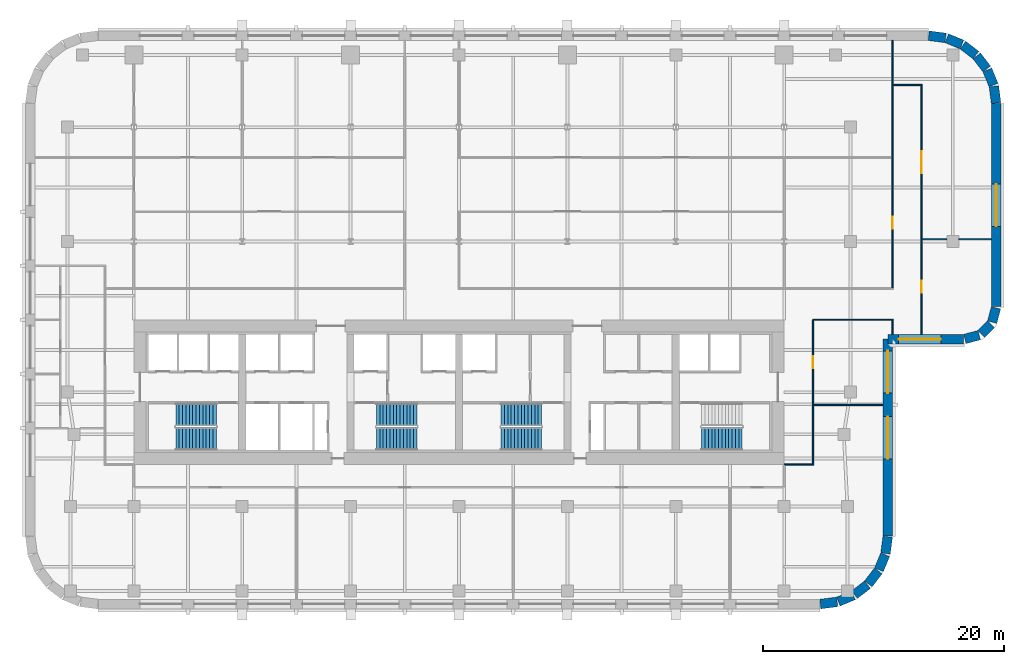
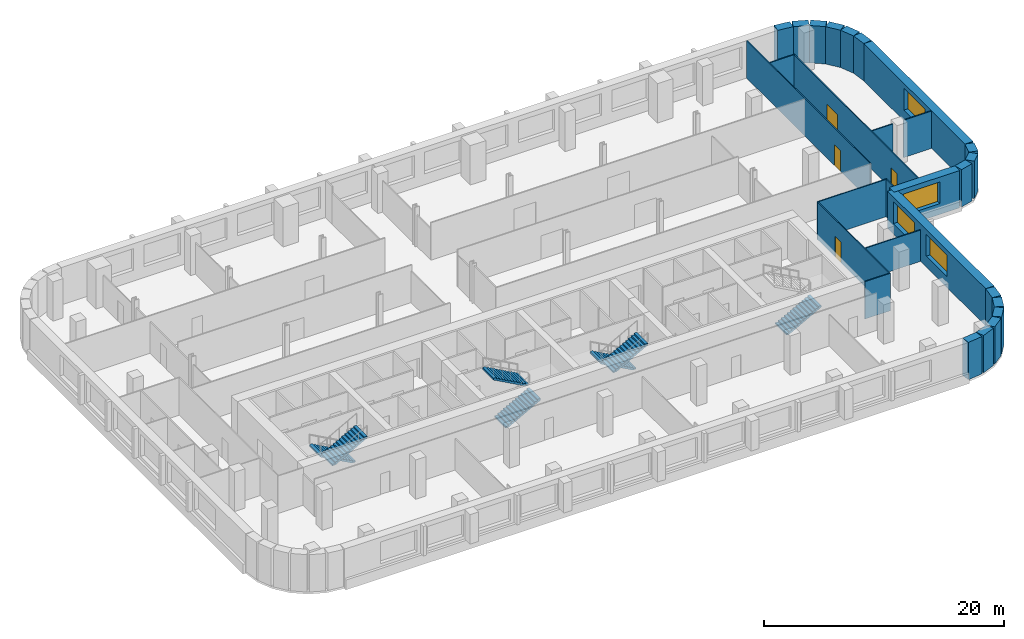
# One storey, part 7 of 10: 28 walls, 7 stair flights, 4 doors, 4 windows, 8 openings, 4 elements without a shape of their own.
"""IFC4 building model written with IfcOpenShell, lengths in metres."""

from ifc_helpers import new_model, si_unit, direction, frame, frame_2d, origin, place, context, subcontext, project, spatial, polyline, rectangle, outline, extrude, material, layer, layer_set, type_object, element, fill, aggregate, save


model = new_model("IFC4")

# Units and contexts
model_context = context("Model", 3, precision=1e-05, world=origin(), true_north=direction((0.0, 1.0)))
body_context = subcontext(model_context, "Body", "Model", "MODEL_VIEW")
ifc_project = project(units=[si_unit("LENGTHUNIT", "METRE"), si_unit("AREAUNIT", "SQUARE_METRE"), si_unit("VOLUMEUNIT", "CUBIC_METRE"), si_unit("PLANEANGLEUNIT", "RADIAN"), si_unit("MASSUNIT", "GRAM", prefix="KILO")], contexts=[model_context])

# Site, building, storey
site_placement = place(None, origin())
site = spatial("IfcSite", under=ifc_project, at=site_placement, CompositionType="ELEMENT")
building_placement = place(site_placement, origin())
building = spatial("IfcBuilding", under=site, at=building_placement, Name="Zellij Exchange Tower", CompositionType="ELEMENT")
storey_placement = place(building_placement, frame((0.0, 0.0, 124.5)))
storey = spatial("IfcBuildingStorey", under=building, at=storey_placement, Name="L27", CompositionType="ELEMENT", Elevation=124.5)

# Walls
ifc_material_1 = material(Name="Precast concrete C40/50", Category="concrete")
ifc_layer_1 = layer(ifc_material_1, 0.800048828125)
ifc_layer_set_1 = layer_set([ifc_layer_1], Name="Precast concrete C40/50")
wall_type_1 = type_object("IfcWallType", Name="ENV-EW1 Precast stone-piered wall 800", PredefinedType="SOLIDWALL", material=ifc_layer_set_1)
wall_1_placement = place(storey_placement, frame((29.999755859375, -25.5966796875, 0.0), z_axis=(0.0, 0.0, 1.0), x_axis=(0.99144603414, 0.130517283865, 0.0)))
element("IfcWall", 1, at=wall_1_placement, inside=storey, type_object=wall_type_1, Name="fac.L27.01", PredefinedType="SOLIDWALL", context=body_context, shape_type="SweptSolid", body=[
    extrude(rectangle(XDim=1.408447265625, YDim=0.800048828125, at=frame_2d((0.7041015625, 0.0))), origin(), (0.0, 0.0, 1.0), 3.800048828125),
])
wall_2_placement = place(storey_placement, frame((31.497314453125, -25.3857421875, 0.0), z_axis=(0.0, 0.0, 1.0), x_axis=(0.923847774587, 0.38276009378, 0.0)))
element("IfcWall", 2, at=wall_2_placement, inside=storey, type_object=wall_type_1, Name="fac.L27.02", PredefinedType="SOLIDWALL", context=body_context, shape_type="SweptSolid", body=[
    extrude(rectangle(XDim=1.35546875, YDim=0.800048828125, at=frame_2d((0.677734375, 0.0))), origin(), (0.0, 0.0, 1.0), 3.800048828125),
])
for number, where, z_axis, x_axis, name in (
    (3, (32.840087890625, -24.814697265625, 0.0), (0.0, 0.0, 1.0), (0.793272915452, 0.608866226366, 0.0), "fac.L27.03"),
    (4, (33.9892578125, -23.91552734375, 0.0), (0.0, 0.0, 1.0), (0.608866226366, 0.793272915452, 0.0), "fac.L27.04"),
):
    element("IfcWall", number, at=place(storey_placement, frame(where, z_axis=z_axis, x_axis=x_axis)), inside=storey, type_object=wall_type_1, Name=name, PredefinedType="SOLIDWALL", context=body_context, shape_type="SweptSolid", body=[
        extrude(rectangle(XDim=1.355712890625, YDim=0.800048828125, at=frame_2d((0.677734375, 0.0))), origin(), (0.0, 0.0, 1.0), 3.800048828125),
    ])
wall_3_placement = place(storey_placement, frame((34.866943359375, -22.74951171875, 0.0), z_axis=(0.0, 0.0, 1.0), x_axis=(0.38276009378, 0.923847774587, 0.0)))
element("IfcWall", 5, at=wall_3_placement, inside=storey, type_object=wall_type_1, Name="fac.L27.05", PredefinedType="SOLIDWALL", context=body_context, shape_type="SweptSolid", body=[
    extrude(rectangle(XDim=1.35546875, YDim=0.800048828125, at=frame_2d((0.677734375, 0.0))), origin(), (0.0, 0.0, 1.0), 3.800048828125),
])
wall_4_placement = place(storey_placement, frame((35.412841796875, -21.396240234375, 0.0), z_axis=(0.0, 0.0, 1.0), x_axis=(0.130517283865, 0.99144603414, 0.0)))
element("IfcWall", 6, at=wall_4_placement, inside=storey, type_object=wall_type_1, Name="fac.L27.06", PredefinedType="SOLIDWALL", context=body_context, shape_type="SweptSolid", body=[
    extrude(rectangle(XDim=1.408447265625, YDim=0.800048828125, at=frame_2d((0.7041015625, 0.0))), origin(), (0.0, 0.0, 1.0), 3.800048828125),
])

# Wall, openings, windows
wall_5_placement = place(storey_placement, frame((35.60009765625, -19.947509765625, 0.0), z_axis=(0.0, 0.0, 1.0), x_axis=(0.0, 1.0, 0.0)))
wall_5 = element("IfcWall", 7, at=wall_5_placement, inside=storey, type_object=wall_type_1, Name="fac.L27.07", PredefinedType="SOLIDWALL", context=body_context, shape_type="SweptSolid", body=[
    extrude(rectangle(XDim=16.347412109375, YDim=0.800048828125, at=frame_2d((8.173828125, 0.0))), origin(), (0.0, 0.0, 1.0), 3.800048828125),
])
opening_1_placement = place(wall_5_placement, frame((6.41064453125, 0.0, 1.10009765625)))
opening_1 = element("IfcOpeningElement", 8, at=opening_1_placement, cuts=wall_5, Name="Opening FZ2.13", PredefinedType="OPENING", context=body_context, shape_type="SweptSolid", body=[
    extrude(rectangle(XDim=3.5, YDim=2.199951171875, at=frame_2d((1.75, 1.10009765625))), frame((0.0, 0.412109375, 0.0), z_axis=(0.0, -1.0, 0.0), x_axis=(1.0, 0.0, 0.0)), (0.0, 0.0, 1.0), 0.823974609375),
])
opening_2_placement = place(wall_5_placement, frame((11.86865234375, 0.0, 1.10009765625)))
opening_2 = element("IfcOpeningElement", 9, at=opening_2_placement, cuts=wall_5, Name="Opening FZ2.14", PredefinedType="OPENING", context=body_context, shape_type="SweptSolid", body=[
    extrude(rectangle(XDim=3.5, YDim=2.199951171875, at=frame_2d((1.75, 1.10009765625))), frame((0.0, 0.412109375, 0.0), z_axis=(0.0, -1.0, 0.0), x_axis=(1.0, 0.0, 0.0)), (0.0, 0.0, 1.0), 0.823974609375),
])
ifc_material_2 = material(Name="Aluminium frame with insulating glass", Category="aluminium")
window_type = type_object("IfcWindowType", Name="ENV-W7 Window 3500x2200", PartitioningType="SINGLE_PANEL", PredefinedType="WINDOW", material=ifc_material_2)
window_1_placement = place(opening_1_placement, origin())
window_1 = element("IfcWindow", 10, at=window_1_placement, inside=storey, type_object=window_type, Name="Window FZ2.13", OverallHeight=2.199951171875, OverallWidth=3.5, PartitioningType="SINGLE_PANEL", PredefinedType="WINDOW", context=body_context, shape_type="SweptSolid", body=[
    extrude(rectangle(XDim=3.5, YDim=2.199951171875, at=frame_2d((1.75, 1.10009765625))), frame((0.0, 0.030029296875, 0.0), z_axis=(0.0, -1.0, 0.0), x_axis=(1.0, 0.0, 0.0)), (0.0, 0.0, 1.0), 0.06005859375),
])
fill(opening_1, window_1)
window_2_placement = place(opening_2_placement, origin())
window_2 = element("IfcWindow", 11, at=window_2_placement, inside=storey, type_object=window_type, Name="Window FZ2.14", OverallHeight=2.199951171875, OverallWidth=3.5, PartitioningType="SINGLE_PANEL", PredefinedType="WINDOW", context=body_context, shape_type="SweptSolid", body=[
    extrude(rectangle(XDim=3.5, YDim=2.199951171875, at=frame_2d((1.75, 1.10009765625))), frame((0.0, 0.030029296875, 0.0), z_axis=(0.0, -1.0, 0.0), x_axis=(1.0, 0.0, 0.0)), (0.0, 0.0, 1.0), 0.06005859375),
])
fill(opening_2, window_2)

# Wall, opening, window
wall_6_placement = place(storey_placement, frame((35.60009765625, -3.60009765625, 0.0), z_axis=(0.0, 0.0, 1.0), x_axis=(1.0, 0.0, 0.0)))
wall_6 = element("IfcWall", 12, at=wall_6_placement, inside=storey, type_object=wall_type_1, Name="fac.L27.08", PredefinedType="SOLIDWALL", context=body_context, shape_type="SweptSolid", body=[
    extrude(rectangle(XDim=6.29443359375, YDim=0.800048828125, at=frame_2d((3.147216796875, 0.0))), origin(), (0.0, 0.0, 1.0), 3.800048828125),
])
opening_3_placement = place(wall_6_placement, frame((0.89990234375, 0.0, 1.10009765625)))
opening_3 = element("IfcOpeningElement", 13, at=opening_3_placement, cuts=wall_6, Name="Opening FZ2.15", PredefinedType="OPENING", context=body_context, shape_type="SweptSolid", body=[
    extrude(rectangle(XDim=3.5, YDim=2.199951171875, at=frame_2d((1.75, 1.10009765625))), frame((0.0, 0.412109375, 0.0), z_axis=(0.0, -1.0, 0.0), x_axis=(1.0, 0.0, 0.0)), (0.0, 0.0, 1.0), 0.823974609375),
])
window_3_placement = place(opening_3_placement, origin())
window_3 = element("IfcWindow", 14, at=window_3_placement, inside=storey, type_object=window_type, Name="Window FZ2.15", OverallHeight=2.199951171875, OverallWidth=3.5, PartitioningType="SINGLE_PANEL", PredefinedType="WINDOW", context=body_context, shape_type="SweptSolid", body=[
    extrude(rectangle(XDim=3.5, YDim=2.199951171875, at=frame_2d((1.75, 1.10009765625))), frame((0.0, 0.030029296875, 0.0), z_axis=(0.0, -1.0, 0.0), x_axis=(1.0, 0.0, 0.0)), (0.0, 0.0, 1.0), 0.06005859375),
])
fill(opening_3, window_3)

# Walls
wall_7_placement = place(storey_placement, frame((41.998291015625, -3.58642578125, 0.0), z_axis=(0.0, 0.0, 1.0), x_axis=(0.965892366842, 0.258943885187, 0.0)))
element("IfcWall", 15, at=wall_7_placement, inside=storey, type_object=wall_type_1, Name="fac.L27.09", PredefinedType="SOLIDWALL", context=body_context, shape_type="SweptSolid", body=[
    extrude(rectangle(XDim=1.233154296875, YDim=0.800048828125, at=frame_2d((0.61669921875, 0.0))), origin(), (0.0, 0.0, 1.0), 3.800048828125),
])
wall_8_placement = place(storey_placement, frame((43.36865234375, -3.163818359375, 0.0), z_axis=(0.0, 0.0, 1.0), x_axis=(0.707106781187, 0.707106781187, 0.0)))
element("IfcWall", 16, at=wall_8_placement, inside=storey, type_object=wall_type_1, Name="fac.L27.10", PredefinedType="SOLIDWALL", context=body_context, shape_type="SweptSolid", body=[
    extrude(rectangle(XDim=1.12451171875, YDim=0.800048828125, at=frame_2d((0.562255859375, 0.0))), origin(), (0.0, 0.0, 1.0), 3.800048828125),
])
wall_9_placement = place(storey_placement, frame((44.26708984375, -2.189453125, 0.0), z_axis=(0.0, 0.0, 1.0), x_axis=(0.258943885187, 0.965892366842, 0.0)))
element("IfcWall", 17, at=wall_9_placement, inside=storey, type_object=wall_type_1, Name="fac.L27.11", PredefinedType="SOLIDWALL", context=body_context, shape_type="SweptSolid", body=[
    extrude(rectangle(XDim=1.233154296875, YDim=0.800048828125, at=frame_2d((0.61669921875, 0.0))), origin(), (0.0, 0.0, 1.0), 3.800048828125),
])

# Wall, opening, window
wall_10_placement = place(storey_placement, frame((44.60009765625, -0.89453125, 0.0), z_axis=(0.0, 0.0, 1.0), x_axis=(0.0, 1.0, 0.0)))
wall_10 = element("IfcWall", 18, at=wall_10_placement, inside=storey, type_object=wall_type_1, Name="fac.L27.12", PredefinedType="SOLIDWALL", context=body_context, shape_type="SweptSolid", body=[
    extrude(rectangle(XDim=16.842041015625, YDim=0.800048828125, at=frame_2d((8.4208984375, 0.0))), origin(), (0.0, 0.0, 1.0), 3.800048828125),
])
opening_4_placement = place(wall_10_placement, frame((6.657958984375, 0.0, 1.10009765625)))
opening_4 = element("IfcOpeningElement", 19, at=opening_4_placement, cuts=wall_10, Name="Opening FZ2.16", PredefinedType="OPENING", context=body_context, shape_type="SweptSolid", body=[
    extrude(rectangle(XDim=3.5, YDim=2.199951171875, at=frame_2d((1.75, 1.10009765625))), frame((0.0, 0.412109375, 0.0), z_axis=(0.0, -1.0, 0.0), x_axis=(1.0, 0.0, 0.0)), (0.0, 0.0, 1.0), 0.823974609375),
])
window_4_placement = place(opening_4_placement, origin())
window_4 = element("IfcWindow", 20, at=window_4_placement, inside=storey, type_object=window_type, Name="Window FZ2.16", OverallHeight=2.199951171875, OverallWidth=3.5, PartitioningType="SINGLE_PANEL", PredefinedType="WINDOW", context=body_context, shape_type="SweptSolid", body=[
    extrude(rectangle(XDim=3.5, YDim=2.199951171875, at=frame_2d((1.75, 1.10009765625))), frame((0.0, 0.030029296875, 0.0), z_axis=(0.0, -1.0, 0.0), x_axis=(1.0, 0.0, 0.0)), (0.0, 0.0, 1.0), 0.06005859375),
])
fill(opening_4, window_4)

# Walls
wall_11_placement = place(storey_placement, frame((44.5966796875, 15.999755859375, 0.0), z_axis=(0.0, 0.0, 1.0), x_axis=(-0.130517283865, 0.99144603414, 0.0)))
element("IfcWall", 21, at=wall_11_placement, inside=storey, type_object=wall_type_1, Name="fac.L27.13", PredefinedType="SOLIDWALL", context=body_context, shape_type="SweptSolid", body=[
    extrude(rectangle(XDim=1.408447265625, YDim=0.800048828125, at=frame_2d((0.7041015625, 0.0))), origin(), (0.0, 0.0, 1.0), 3.800048828125),
])
wall_12_placement = place(storey_placement, frame((44.3857421875, 17.497314453125, 0.0), z_axis=(0.0, 0.0, 1.0), x_axis=(-0.38276009378, 0.923847774587, 0.0)))
element("IfcWall", 22, at=wall_12_placement, inside=storey, type_object=wall_type_1, Name="fac.L27.14", PredefinedType="SOLIDWALL", context=body_context, shape_type="SweptSolid", body=[
    extrude(rectangle(XDim=1.35546875, YDim=0.800048828125, at=frame_2d((0.677734375, 0.0))), origin(), (0.0, 0.0, 1.0), 3.800048828125),
])
for number, where, z_axis, x_axis, name in (
    (23, (43.814697265625, 18.840087890625, 0.0), (0.0, 0.0, 1.0), (-0.608866226366, 0.793272915452, 0.0), "fac.L27.15"),
    (24, (42.91552734375, 19.9892578125, 0.0), (0.0, 0.0, 1.0), (-0.793272915452, 0.608866226366, 0.0), "fac.L27.16"),
):
    element("IfcWall", number, at=place(storey_placement, frame(where, z_axis=z_axis, x_axis=x_axis)), inside=storey, type_object=wall_type_1, Name=name, PredefinedType="SOLIDWALL", context=body_context, shape_type="SweptSolid", body=[
        extrude(rectangle(XDim=1.355712890625, YDim=0.800048828125, at=frame_2d((0.677734375, 0.0))), origin(), (0.0, 0.0, 1.0), 3.800048828125),
    ])
wall_13_placement = place(storey_placement, frame((41.74951171875, 20.866943359375, 0.0), z_axis=(0.0, 0.0, 1.0), x_axis=(-0.923847774587, 0.38276009378, 0.0)))
element("IfcWall", 25, at=wall_13_placement, inside=storey, type_object=wall_type_1, Name="fac.L27.17", PredefinedType="SOLIDWALL", context=body_context, shape_type="SweptSolid", body=[
    extrude(rectangle(XDim=1.35546875, YDim=0.800048828125, at=frame_2d((0.677734375, 0.0))), origin(), (0.0, 0.0, 1.0), 3.800048828125),
])
wall_14_placement = place(storey_placement, frame((40.396240234375, 21.412841796875, 0.0), z_axis=(0.0, 0.0, 1.0), x_axis=(-0.99144603414, 0.130517283865, 0.0)))
element("IfcWall", 26, at=wall_14_placement, inside=storey, type_object=wall_type_1, Name="fac.L27.18", PredefinedType="SOLIDWALL", context=body_context, shape_type="SweptSolid", body=[
    extrude(rectangle(XDim=1.408447265625, YDim=0.800048828125, at=frame_2d((0.7041015625, 0.0))), origin(), (0.0, 0.0, 1.0), 3.800048828125),
])
ifc_material_3 = material(Name="Gypsum board partition on steel studs", Category="steel")
ifc_layer_2 = layer(ifc_material_3, 0.10009765625)
ifc_layer_set_2 = layer_set([ifc_layer_2], Name="Gypsum board partition on steel studs")
wall_type_2 = type_object("IfcWallType", Name="FIT-PARTITION-100", PredefinedType="PARTITIONING", material=ifc_layer_set_2)
wall_15_placement = place(storey_placement, frame((27.0, -14.0, 0.0), z_axis=(0.0, 0.0, 1.0), x_axis=(1.0, 0.0, 0.0)))
element("IfcWall", 27, at=wall_15_placement, inside=storey, type_object=wall_type_2, Name="FIT-PARTITION-100 012", PredefinedType="PARTITIONING", context=body_context, shape_type="SweptSolid", body=[
    extrude(rectangle(XDim=2.449951171875, YDim=0.10009765625, at=frame_2d((1.22509765625, 0.0))), origin(), (0.0, 0.0, 1.0), 3.800048828125),
])

# Wall, opening, door
wall_16_placement = place(storey_placement, frame((29.39990234375, -13.949951171875, 0.0), z_axis=(0.0, 0.0, 1.0), x_axis=(0.0, 1.0, 0.0)))
wall_16 = element("IfcWall", 28, at=wall_16_placement, inside=storey, type_object=wall_type_2, Name="FIT-PARTITION-100 013", PredefinedType="PARTITIONING", context=body_context, shape_type="SweptSolid", body=[
    extrude(rectangle(XDim=11.89990234375, YDim=0.10009765625, at=frame_2d((5.949951171875, 0.0))), origin(), (0.0, 0.0, 1.0), 3.800048828125),
])
opening_5_placement = place(wall_16_placement, frame((7.93994140625, 0.0, 0.0)))
opening_5 = element("IfcOpeningElement", 29, at=opening_5_placement, cuts=wall_16, Name="Opening TF.06", PredefinedType="OPENING", context=body_context, shape_type="SweptSolid", body=[
    extrude(rectangle(XDim=1.0, YDim=2.10009765625, at=frame_2d((0.5, 1.050048828125))), frame((0.0, 0.06201171875, 0.0), z_axis=(0.0, -1.0, 0.0), x_axis=(1.0, 0.0, 0.0)), (0.0, 0.0, 1.0), 0.1240234375),
])
ifc_material_4 = material(Name="Timber door set", Category="wood")
door_type_1 = type_object("IfcDoorType", Name="FIT-D2-WIDE-1000X2100", OperationType="SINGLE_SWING_LEFT", PredefinedType="DOOR", material=ifc_material_4)
door_1_placement = place(opening_5_placement, origin())
door_1 = element("IfcDoor", 30, at=door_1_placement, inside=storey, type_object=door_type_1, Name="Door TF.06", OperationType="SINGLE_SWING_RIGHT", OverallHeight=2.10009765625, OverallWidth=1.0, PredefinedType="DOOR", context=body_context, shape_type="SweptSolid", body=[
    extrude(rectangle(XDim=1.0, YDim=2.10009765625, at=frame_2d((0.5, 1.050048828125))), frame((0.0, 0.02490234375, 0.0), z_axis=(0.0, -1.0, 0.0), x_axis=(1.0, 0.0, 0.0)), (0.0, 0.0, 1.0), 0.050048828125),
])
fill(opening_5, door_1)

# Walls
wall_17_placement = place(storey_placement, frame((29.449951171875, -9.06005859375, 0.0), z_axis=(0.0, 0.0, 1.0), x_axis=(1.0, 0.0, 0.0)))
element("IfcWall", 31, at=wall_17_placement, inside=storey, type_object=wall_type_2, Name="FIT-PARTITION-100 017", PredefinedType="PARTITIONING", context=body_context, shape_type="SweptSolid", body=[
    extrude(rectangle(XDim=5.75, YDim=0.10009765625, at=frame_2d((2.875, 0.0))), origin(), (0.0, 0.0, 1.0), 3.197998046875),
])
wall_18_placement = place(storey_placement, frame((36.0, -3.199951171875, 0.0), z_axis=(0.0, 0.0, 1.0), x_axis=(0.0, 1.0, 0.0)))
element("IfcWall", 32, at=wall_18_placement, inside=storey, type_object=wall_type_2, Name="FIT-PARTITION-100 019", PredefinedType="PARTITIONING", context=body_context, shape_type="SweptSolid", body=[
    extrude(rectangle(XDim=1.14990234375, YDim=0.10009765625, at=frame_2d((0.574951171875, 0.0))), origin(), (0.0, 0.0, 1.0), 3.800048828125),
])

# Wall, openings, doors
wall_19_placement = place(storey_placement, frame((38.39990234375, -3.199951171875, 0.0), z_axis=(0.0, 0.0, 1.0), x_axis=(0.0, 1.0, 0.0)))
wall_19 = element("IfcWall", 33, at=wall_19_placement, inside=storey, type_object=wall_type_2, Name="FIT-PARTITION-100 020", PredefinedType="PARTITIONING", context=body_context, shape_type="SweptSolid", body=[
    extrude(rectangle(XDim=20.64990234375, YDim=0.10009765625, at=frame_2d((10.324951171875, 0.0))), origin(), (0.0, 0.0, 1.0), 3.800048828125),
])
opening_6_placement = place(wall_19_placement, frame((3.449951171875, 0.0, 0.0)))
opening_6 = element("IfcOpeningElement", 34, at=opening_6_placement, cuts=wall_19, Name="Opening TF.10", PredefinedType="OPENING", context=body_context, shape_type="SweptSolid", body=[
    extrude(rectangle(XDim=1.0, YDim=2.10009765625, at=frame_2d((0.5, 1.050048828125))), frame((0.0, 0.06201171875, 0.0), z_axis=(0.0, -1.0, 0.0), x_axis=(1.0, 0.0, 0.0)), (0.0, 0.0, 1.0), 0.1240234375),
])
opening_7_placement = place(wall_19_placement, frame((13.389892578125, 0.0, 0.0)))
opening_7 = element("IfcOpeningElement", 35, at=opening_7_placement, cuts=wall_19, Name="Opening TF.16", PredefinedType="OPENING", context=body_context, shape_type="SweptSolid", body=[
    extrude(rectangle(XDim=1.800048828125, YDim=2.10009765625, at=frame_2d((0.89990234375, 1.050048828125))), frame((0.0, 0.06201171875, 0.0), z_axis=(0.0, -1.0, 0.0), x_axis=(1.0, 0.0, 0.0)), (0.0, 0.0, 1.0), 0.1240234375),
])
door_2_placement = place(opening_6_placement, origin())
door_2 = element("IfcDoor", 36, at=door_2_placement, inside=storey, type_object=door_type_1, Name="Door TF.10", OperationType="SINGLE_SWING_RIGHT", OverallHeight=2.10009765625, OverallWidth=1.0, PredefinedType="DOOR", context=body_context, shape_type="SweptSolid", body=[
    extrude(rectangle(XDim=1.0, YDim=2.10009765625, at=frame_2d((0.5, 1.050048828125))), frame((0.0, 0.02490234375, 0.0), z_axis=(0.0, -1.0, 0.0), x_axis=(1.0, 0.0, 0.0)), (0.0, 0.0, 1.0), 0.050048828125),
])
fill(opening_6, door_2)
door_type_2 = type_object("IfcDoorType", Name="FIT-D3-DOUBLE-1800X2100", OperationType="DOUBLE_DOOR_SINGLE_SWING", PredefinedType="DOOR", material=ifc_material_4)
door_3_placement = place(opening_7_placement, origin())
door_3 = element("IfcDoor", 37, at=door_3_placement, inside=storey, type_object=door_type_2, Name="Door TF.16", OperationType="DOUBLE_DOOR_SINGLE_SWING", OverallHeight=2.10009765625, OverallWidth=1.800048828125, PredefinedType="DOOR", context=body_context, shape_type="SweptSolid", body=[
    extrude(rectangle(XDim=1.800048828125, YDim=2.10009765625, at=frame_2d((0.89990234375, 1.050048828125))), frame((0.0, 0.02490234375, 0.0), z_axis=(0.0, -1.0, 0.0), x_axis=(1.0, 0.0, 0.0)), (0.0, 0.0, 1.0), 0.050048828125),
])
fill(opening_7, door_3)

# Wall
wall_20_placement = place(storey_placement, frame((29.35009765625, -2.0, 0.0), z_axis=(0.0, 0.0, 1.0), x_axis=(1.0, 0.0, 0.0)))
element("IfcWall", 38, at=wall_20_placement, inside=storey, type_object=wall_type_2, Name="FIT-PARTITION-100 022", PredefinedType="PARTITIONING", context=body_context, shape_type="SweptSolid", body=[
    extrude(rectangle(XDim=6.699951171875, YDim=0.10009765625, at=frame_2d((3.35009765625, 0.0))), origin(), (0.0, 0.0, 1.0), 3.800048828125),
])

# Wall, opening, door
wall_21_placement = place(storey_placement, frame((36.0, 0.64990234375, 0.0), z_axis=(0.0, 0.0, 1.0), x_axis=(0.0, 1.0, 0.0)))
wall_21 = element("IfcWall", 39, at=wall_21_placement, inside=storey, type_object=wall_type_2, Name="FIT-PARTITION-100 032", PredefinedType="PARTITIONING", context=body_context, shape_type="SweptSolid", body=[
    extrude(rectangle(XDim=20.550048828125, YDim=0.10009765625, at=frame_2d((10.27490234375, 0.0))), origin(), (0.0, 0.0, 1.0), 3.800048828125),
])
opening_8_placement = place(wall_21_placement, frame((4.89990234375, 0.0, 0.0)))
opening_8 = element("IfcOpeningElement", 40, at=opening_8_placement, cuts=wall_21, Name="Opening TF.11", PredefinedType="OPENING", context=body_context, shape_type="SweptSolid", body=[
    extrude(rectangle(XDim=1.0, YDim=2.10009765625, at=frame_2d((0.5, 1.050048828125))), frame((0.0, 0.06201171875, 0.0), z_axis=(0.0, -1.0, 0.0), x_axis=(1.0, 0.0, 0.0)), (0.0, 0.0, 1.0), 0.1240234375),
])
door_4_placement = place(opening_8_placement, origin())
door_4 = element("IfcDoor", 41, at=door_4_placement, inside=storey, type_object=door_type_1, Name="Door TF.11", OperationType="SINGLE_SWING_LEFT", OverallHeight=2.10009765625, OverallWidth=1.0, PredefinedType="DOOR", context=body_context, shape_type="SweptSolid", body=[
    extrude(rectangle(XDim=1.0, YDim=2.10009765625, at=frame_2d((0.5, 1.050048828125))), frame((0.0, 0.02490234375, 0.0), z_axis=(0.0, -1.0, 0.0), x_axis=(1.0, 0.0, 0.0)), (0.0, 0.0, 1.0), 0.050048828125),
])
fill(opening_8, door_4)

# Walls
wall_22_placement = place(storey_placement, frame((38.449951171875, 4.68994140625, 0.0), z_axis=(0.0, 0.0, 1.0), x_axis=(1.0, 0.0, 0.0)))
element("IfcWall", 42, at=wall_22_placement, inside=storey, type_object=wall_type_2, Name="FIT-PARTITION-100 034", PredefinedType="PARTITIONING", context=body_context, shape_type="SweptSolid", body=[
    extrude(rectangle(XDim=2.050048828125, YDim=0.10009765625, at=frame_2d((1.02490234375, 0.0))), origin(), (0.0, 0.0, 1.0), 3.800048828125),
])
wall_23_placement = place(storey_placement, frame((41.5, 4.68994140625, 0.0), z_axis=(0.0, 0.0, 1.0), x_axis=(1.0, 0.0, 0.0)))
element("IfcWall", 43, at=wall_23_placement, inside=storey, type_object=wall_type_2, Name="FIT-PARTITION-100 035", PredefinedType="PARTITIONING", context=body_context, shape_type="SweptSolid", body=[
    extrude(rectangle(XDim=2.699951171875, YDim=0.10009765625, at=frame_2d((1.35009765625, 0.0))), origin(), (0.0, 0.0, 1.0), 3.800048828125),
])
wall_24_placement = place(storey_placement, frame((36.050048828125, 17.5, 0.0), z_axis=(0.0, 0.0, 1.0), x_axis=(1.0, 0.0, 0.0)))
element("IfcWall", 44, at=wall_24_placement, inside=storey, type_object=wall_type_2, Name="FIT-PARTITION-100 050", PredefinedType="PARTITIONING", context=body_context, shape_type="SweptSolid", body=[
    extrude(rectangle(XDim=2.39990234375, YDim=0.10009765625, at=frame_2d((1.199951171875, 0.0))), origin(), (0.0, 0.0, 1.0), 3.800048828125),
])

# Stair, stair flights
ifc_material_5 = material(Name="Concrete C40/50", Category="concrete")
stair_type = type_object("IfcStairType", Name="CORE-ST exit stair 1850 wide", PredefinedType="HALF_TURN_STAIR", material=ifc_material_5)
stair_1_placement = place(storey_placement, origin())
stair_1 = element("IfcStair", 45, at=stair_1_placement, inside=storey, type_object=stair_type, Name="L27 exit stair ST1", PredefinedType="HALF_TURN_STAIR")
stair_flight_type = type_object("IfcStairFlightType", Name="CORE-SF flight 1850 riser 153.8 going 280", PredefinedType="STRAIGHT", material=ifc_material_5)
stair_flight_1_placement = place(storey_placement, frame((-20.14990234375, -9.875, 0.0), z_axis=(0.0, 0.0, 1.0), x_axis=(-1.0, 0.0, 0.0)))
stair_flight_1 = element("IfcStairFlight", 46, at=stair_flight_1_placement, type_object=stair_flight_type, Name="ST1 flight 1", NumberOfRisers=13, NumberOfTreads=12, PredefinedType="STRAIGHT", RiserHeight=0.153846154, TreadLength=0.28, context=body_context, shape_type="SweptSolid", body=[
    extrude(outline(polyline([(0.0, 0.0), (0.0, 0.15380859375), (0.280029296875, 0.15380859375), (0.280029296875, 0.3076171875), (0.56005859375, 0.3076171875), (0.56005859375, 0.46142578125), (0.840087890625, 0.46142578125), (0.840087890625, 0.615478515625), (1.1201171875, 0.615478515625), (1.1201171875, 0.769287109375), (1.39990234375, 0.769287109375), (1.39990234375, 0.923095703125), (1.679931640625, 0.923095703125), (1.679931640625, 1.076904296875), (1.9599609375, 1.076904296875), (1.9599609375, 1.230712890625), (2.239990234375, 1.230712890625), (2.239990234375, 1.384521484375), (2.52001953125, 1.384521484375), (2.52001953125, 1.53857421875), (2.800048828125, 1.53857421875), (2.800048828125, 1.6923828125), (3.080078125, 1.6923828125), (3.080078125, 1.84619140625), (3.360107421875, 1.84619140625), (3.360107421875, 2.0), (3.360107421875, 1.675048828125), (0.311279296875, 0.0), (0.0, 0.0)])), frame((0.0, 0.925048828125, 0.0), z_axis=(0.0, -1.0, 0.0), x_axis=(1.0, 0.0, 0.0)), (0.0, 0.0, 1.0), 1.85009765625),
])
stair_flight_2_placement = place(storey_placement, frame((-23.510009765625, -11.875, 2.0), z_axis=(0.0, 0.0, 1.0), x_axis=(1.0, 0.0, 0.0)))
stair_flight_2 = element("IfcStairFlight", 47, at=stair_flight_2_placement, type_object=stair_flight_type, Name="ST1 flight 2", NumberOfRisers=13, NumberOfTreads=12, PredefinedType="STRAIGHT", RiserHeight=0.153846154, TreadLength=0.28, context=body_context, shape_type="SweptSolid", body=[
    extrude(outline(polyline([(0.0, 0.0), (0.0, 0.15380859375), (0.280029296875, 0.15380859375), (0.280029296875, 0.3076171875), (0.56005859375, 0.3076171875), (0.56005859375, 0.46142578125), (0.840087890625, 0.46142578125), (0.840087890625, 0.615478515625), (1.1201171875, 0.615478515625), (1.1201171875, 0.769287109375), (1.39990234375, 0.769287109375), (1.39990234375, 0.923095703125), (1.679931640625, 0.923095703125), (1.679931640625, 1.076904296875), (1.9599609375, 1.076904296875), (1.9599609375, 1.230712890625), (2.239990234375, 1.230712890625), (2.239990234375, 1.384521484375), (2.52001953125, 1.384521484375), (2.52001953125, 1.53857421875), (2.800048828125, 1.53857421875), (2.800048828125, 1.6923828125), (3.080078125, 1.6923828125), (3.080078125, 1.84619140625), (3.360107421875, 1.84619140625), (3.360107421875, 2.0), (3.360107421875, 1.675048828125), (0.311279296875, 0.0), (0.0, 0.0)])), frame((0.0, 0.925048828125, 0.0), z_axis=(0.0, -1.0, 0.0), x_axis=(1.0, 0.0, 0.0)), (0.0, 0.0, 1.0), 1.85009765625),
])
aggregate(stair_1, [stair_flight_1, stair_flight_2])

stair_2_placement = place(storey_placement, origin())
stair_2 = element("IfcStair", 48, at=stair_2_placement, inside=storey, type_object=stair_type, Name="L27 exit stair ST2", PredefinedType="HALF_TURN_STAIR")
stair_flight_3_placement = place(storey_placement, frame((-6.85009765625, -11.875, 0.0), z_axis=(0.0, 0.0, 1.0), x_axis=(1.0, 0.0, 0.0)))
stair_flight_3 = element("IfcStairFlight", 49, at=stair_flight_3_placement, type_object=stair_flight_type, Name="ST2 flight 1", NumberOfRisers=13, NumberOfTreads=12, PredefinedType="STRAIGHT", RiserHeight=0.153846154, TreadLength=0.28, context=body_context, shape_type="SweptSolid", body=[
    extrude(outline(polyline([(0.0, 0.0), (0.0, 0.15380859375), (0.280029296875, 0.15380859375), (0.280029296875, 0.3076171875), (0.56005859375, 0.3076171875), (0.56005859375, 0.46142578125), (0.840087890625, 0.46142578125), (0.840087890625, 0.615478515625), (1.1201171875, 0.615478515625), (1.1201171875, 0.769287109375), (1.39990234375, 0.769287109375), (1.39990234375, 0.923095703125), (1.679931640625, 0.923095703125), (1.679931640625, 1.076904296875), (1.9599609375, 1.076904296875), (1.9599609375, 1.230712890625), (2.239990234375, 1.230712890625), (2.239990234375, 1.384521484375), (2.52001953125, 1.384521484375), (2.52001953125, 1.53857421875), (2.800048828125, 1.53857421875), (2.800048828125, 1.6923828125), (3.080078125, 1.6923828125), (3.080078125, 1.84619140625), (3.360107421875, 1.84619140625), (3.360107421875, 2.0), (3.360107421875, 1.675048828125), (0.311279296875, 0.0), (0.0, 0.0)])), frame((0.0, 0.925048828125, 0.0), z_axis=(0.0, -1.0, 0.0), x_axis=(1.0, 0.0, 0.0)), (0.0, 0.0, 1.0), 1.85009765625),
])
stair_flight_4_placement = place(storey_placement, frame((-3.489990234375, -9.875, 2.0), z_axis=(0.0, 0.0, 1.0), x_axis=(-1.0, 0.0, 0.0)))
stair_flight_4 = element("IfcStairFlight", 50, at=stair_flight_4_placement, type_object=stair_flight_type, Name="ST2 flight 2", NumberOfRisers=13, NumberOfTreads=12, PredefinedType="STRAIGHT", RiserHeight=0.153846154, TreadLength=0.28, context=body_context, shape_type="SweptSolid", body=[
    extrude(outline(polyline([(0.0, 0.0), (0.0, 0.15380859375), (0.280029296875, 0.15380859375), (0.280029296875, 0.3076171875), (0.56005859375, 0.3076171875), (0.56005859375, 0.46142578125), (0.840087890625, 0.46142578125), (0.840087890625, 0.615478515625), (1.1201171875, 0.615478515625), (1.1201171875, 0.769287109375), (1.39990234375, 0.769287109375), (1.39990234375, 0.923095703125), (1.679931640625, 0.923095703125), (1.679931640625, 1.076904296875), (1.9599609375, 1.076904296875), (1.9599609375, 1.230712890625), (2.239990234375, 1.230712890625), (2.239990234375, 1.384521484375), (2.52001953125, 1.384521484375), (2.52001953125, 1.53857421875), (2.800048828125, 1.53857421875), (2.800048828125, 1.6923828125), (3.080078125, 1.6923828125), (3.080078125, 1.84619140625), (3.360107421875, 1.84619140625), (3.360107421875, 2.0), (3.360107421875, 1.675048828125), (0.311279296875, 0.0), (0.0, 0.0)])), frame((0.0, 0.925048828125, 0.0), z_axis=(0.0, -1.0, 0.0), x_axis=(1.0, 0.0, 0.0)), (0.0, 0.0, 1.0), 1.85009765625),
])
aggregate(stair_2, [stair_flight_3, stair_flight_4])

stair_3_placement = place(storey_placement, origin())
stair_3 = element("IfcStair", 51, at=stair_3_placement, inside=storey, type_object=stair_type, Name="L27 exit stair ST3", PredefinedType="HALF_TURN_STAIR")
stair_flight_5_placement = place(storey_placement, frame((6.85009765625, -9.875, 0.0), z_axis=(0.0, 0.0, 1.0), x_axis=(-1.0, 0.0, 0.0)))
stair_flight_5 = element("IfcStairFlight", 52, at=stair_flight_5_placement, type_object=stair_flight_type, Name="ST3 flight 1", NumberOfRisers=13, NumberOfTreads=12, PredefinedType="STRAIGHT", RiserHeight=0.153846154, TreadLength=0.28, context=body_context, shape_type="SweptSolid", body=[
    extrude(outline(polyline([(0.0, 0.0), (0.0, 0.15380859375), (0.280029296875, 0.15380859375), (0.280029296875, 0.3076171875), (0.56005859375, 0.3076171875), (0.56005859375, 0.46142578125), (0.840087890625, 0.46142578125), (0.840087890625, 0.615478515625), (1.1201171875, 0.615478515625), (1.1201171875, 0.769287109375), (1.39990234375, 0.769287109375), (1.39990234375, 0.923095703125), (1.679931640625, 0.923095703125), (1.679931640625, 1.076904296875), (1.9599609375, 1.076904296875), (1.9599609375, 1.230712890625), (2.239990234375, 1.230712890625), (2.239990234375, 1.384521484375), (2.52001953125, 1.384521484375), (2.52001953125, 1.53857421875), (2.800048828125, 1.53857421875), (2.800048828125, 1.6923828125), (3.080078125, 1.6923828125), (3.080078125, 1.84619140625), (3.360107421875, 1.84619140625), (3.360107421875, 2.0), (3.360107421875, 1.675048828125), (0.311279296875, 0.0), (0.0, 0.0)])), frame((0.0, 0.925048828125, 0.0), z_axis=(0.0, -1.0, 0.0), x_axis=(1.0, 0.0, 0.0)), (0.0, 0.0, 1.0), 1.85009765625),
])
stair_flight_6_placement = place(storey_placement, frame((3.489990234375, -11.875, 2.0), z_axis=(0.0, 0.0, 1.0), x_axis=(1.0, 0.0, 0.0)))
stair_flight_6 = element("IfcStairFlight", 53, at=stair_flight_6_placement, type_object=stair_flight_type, Name="ST3 flight 2", NumberOfRisers=13, NumberOfTreads=12, PredefinedType="STRAIGHT", RiserHeight=0.153846154, TreadLength=0.28, context=body_context, shape_type="SweptSolid", body=[
    extrude(outline(polyline([(0.0, 0.0), (0.0, 0.15380859375), (0.280029296875, 0.15380859375), (0.280029296875, 0.3076171875), (0.56005859375, 0.3076171875), (0.56005859375, 0.46142578125), (0.840087890625, 0.46142578125), (0.840087890625, 0.615478515625), (1.1201171875, 0.615478515625), (1.1201171875, 0.769287109375), (1.39990234375, 0.769287109375), (1.39990234375, 0.923095703125), (1.679931640625, 0.923095703125), (1.679931640625, 1.076904296875), (1.9599609375, 1.076904296875), (1.9599609375, 1.230712890625), (2.239990234375, 1.230712890625), (2.239990234375, 1.384521484375), (2.52001953125, 1.384521484375), (2.52001953125, 1.53857421875), (2.800048828125, 1.53857421875), (2.800048828125, 1.6923828125), (3.080078125, 1.6923828125), (3.080078125, 1.84619140625), (3.360107421875, 1.84619140625), (3.360107421875, 2.0), (3.360107421875, 1.675048828125), (0.311279296875, 0.0), (0.0, 0.0)])), frame((0.0, 0.925048828125, 0.0), z_axis=(0.0, -1.0, 0.0), x_axis=(1.0, 0.0, 0.0)), (0.0, 0.0, 1.0), 1.85009765625),
])
aggregate(stair_3, [stair_flight_5, stair_flight_6])

# Stair, stair flight
stair_4_placement = place(storey_placement, origin())
stair_4 = element("IfcStair", 54, at=stair_4_placement, inside=storey, type_object=stair_type, Name="L27 exit stair ST4", PredefinedType="HALF_TURN_STAIR")
stair_flight_7_placement = place(storey_placement, frame((20.14990234375, -11.875, 0.0), z_axis=(0.0, 0.0, 1.0), x_axis=(1.0, 0.0, 0.0)))
stair_flight_7 = element("IfcStairFlight", 55, at=stair_flight_7_placement, type_object=stair_flight_type, Name="ST4 flight 1", NumberOfRisers=13, NumberOfTreads=12, PredefinedType="STRAIGHT", RiserHeight=0.153846154, TreadLength=0.28, context=body_context, shape_type="SweptSolid", body=[
    extrude(outline(polyline([(0.0, 0.0), (0.0, 0.15380859375), (0.280029296875, 0.15380859375), (0.280029296875, 0.3076171875), (0.56005859375, 0.3076171875), (0.56005859375, 0.46142578125), (0.840087890625, 0.46142578125), (0.840087890625, 0.615478515625), (1.1201171875, 0.615478515625), (1.1201171875, 0.769287109375), (1.39990234375, 0.769287109375), (1.39990234375, 0.923095703125), (1.679931640625, 0.923095703125), (1.679931640625, 1.076904296875), (1.9599609375, 1.076904296875), (1.9599609375, 1.230712890625), (2.239990234375, 1.230712890625), (2.239990234375, 1.384521484375), (2.52001953125, 1.384521484375), (2.52001953125, 1.53857421875), (2.800048828125, 1.53857421875), (2.800048828125, 1.6923828125), (3.080078125, 1.6923828125), (3.080078125, 1.84619140625), (3.360107421875, 1.84619140625), (3.360107421875, 2.0), (3.360107421875, 1.675048828125), (0.311279296875, 0.0), (0.0, 0.0)])), frame((0.0, 0.925048828125, 0.0), z_axis=(0.0, -1.0, 0.0), x_axis=(1.0, 0.0, 0.0)), (0.0, 0.0, 1.0), 1.85009765625),
])
aggregate(stair_4, [stair_flight_7])

save(model, "model.ifc")
